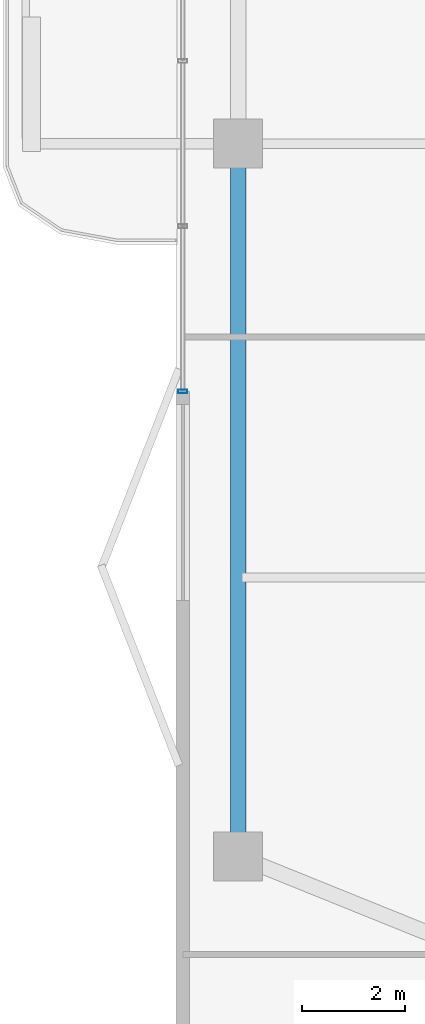
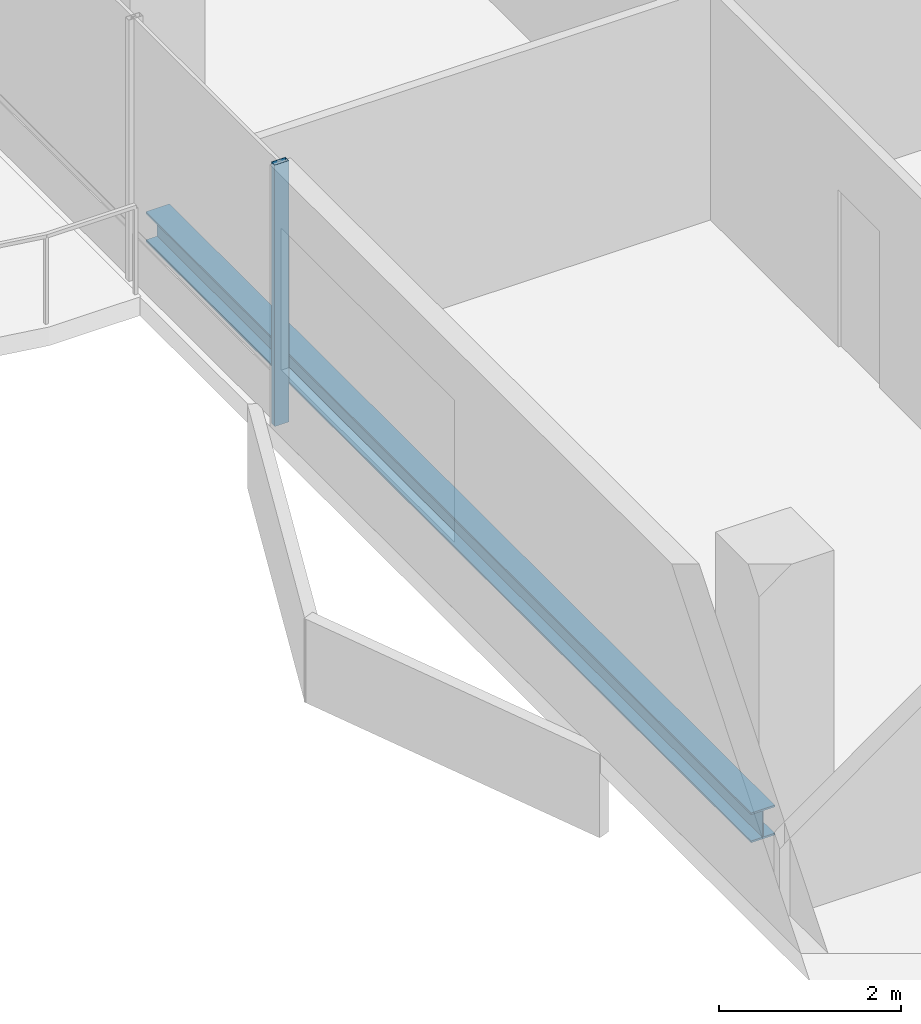
# One storey, part 4 of 25: 1 beam, 1 member, 1 element without a shape of its own.
"""IFC4 building model written with IfcOpenShell, lengths in metres."""

import ifcopenshell
import ifcopenshell.guid

model = None  # the IFC model being written
_history = None  # IfcOwnerHistory: only IFC2X3 demands one
_inside = {}  # id of a spatial element -> (the spatial element, [elements in it])
_under = {}  # id of a project, library or spatial element -> (it, [spatial elements below it])
_declared = {}  # id of a project -> (the project, [libraries it declares])
_typed = {}  # id of a type object -> (the type object, [elements of that type])
_made_of = {}  # id of a material, layer set ... -> (it, [elements and type objects made of it])


def new_model(schema):
    """Start an empty IFC model of exactly this schema.

    Asked for "IFC4X3", IfcOpenShell would pick the latest addendum, in which some entities
    have other attributes; the version numbers below select the first issue.
    IFC2X3 requires an IfcOwnerHistory on every rooted entity: one is made here for all.
    """
    global model, _history
    if schema == "IFC4X3":
        model = ifcopenshell.file(schema_version=(4, 3, 0, 0))
    else:
        model = ifcopenshell.file(schema=schema)
    _inside.clear()
    _under.clear()
    _declared.clear()
    _typed.clear()
    _made_of.clear()
    _history = None
    if model.schema == "IFC2X3":
        org = make("IfcOrganization", Name="unknown")
        user = make(
            "IfcPersonAndOrganization",
            ThePerson=make("IfcPerson", FamilyName="unknown"),
            TheOrganization=org,
        )
        app = make(
            "IfcApplication",
            ApplicationDeveloper=org,
            Version="unknown",
            ApplicationFullName="unknown",
            ApplicationIdentifier="unknown",
        )
        _history = make(
            "IfcOwnerHistory",
            OwningUser=user,
            OwningApplication=app,
            ChangeAction="ADDED",
            CreationDate=0,
        )
    return model


def make(cls, **values):
    """One entity of the class cls with the attributes given. An attribute that is None is left unset."""
    return model.create_entity(
        cls, **{name: value for name, value in values.items() if value is not None}
    )


def rooted(cls, **values):
    """An entity with a GlobalId (a new one), such as an element, a storey or a relation."""
    return make(cls, GlobalId=ifcopenshell.guid.new(), OwnerHistory=_history, **values)


def si_unit(unit_type, name, prefix=None):
    """IfcSIUnit, for example si_unit("LENGTHUNIT", "METRE", prefix="MILLI")."""
    return make("IfcSIUnit", UnitType=unit_type, Prefix=prefix, Name=name)


def assignment(units):
    """IfcUnitAssignment: the units of a project."""
    return None if units is None else make("IfcUnitAssignment", Units=units)


def point(xyz):
    """IfcCartesianPoint."""
    return None if xyz is None else make("IfcCartesianPoint", Coordinates=xyz)


def direction(xyz):
    """IfcDirection."""
    return None if xyz is None else make("IfcDirection", DirectionRatios=xyz)


def frame(location, z_axis=None, x_axis=None):
    """IfcAxis2Placement3D, a coordinate frame: its origin and axes. An axis left out is left unset."""
    return make(
        "IfcAxis2Placement3D",
        Location=point(location),
        Axis=direction(z_axis),
        RefDirection=direction(x_axis),
    )


def frame_2d(location, x_axis=None):
    """IfcAxis2Placement2D, a coordinate frame in the plane: its origin and x axis."""
    return make(
        "IfcAxis2Placement2D", Location=point(location), RefDirection=direction(x_axis)
    )


def origin():
    """The frame at (0, 0, 0) with its axes left unset."""
    return frame((0.0, 0.0, 0.0))


def origin_2d():
    """The frame at (0, 0) in the plane with its x axis left unset."""
    return frame_2d((0.0, 0.0))


def place(relative_to, where):
    """IfcLocalPlacement: puts the frame where relative to a parent placement (None: the world)."""
    return make(
        "IfcLocalPlacement", PlacementRelTo=relative_to, RelativePlacement=where
    )


def context(
    kind, dimensions, precision=None, world=None, true_north=None, identifier=None
):
    """IfcGeometricRepresentationContext, for example the 3D "Model" context."""
    return make(
        "IfcGeometricRepresentationContext",
        ContextIdentifier=identifier,
        ContextType=kind,
        CoordinateSpaceDimension=dimensions,
        Precision=precision,
        WorldCoordinateSystem=world,
        TrueNorth=true_north,
    )


def subcontext(parent, identifier, kind, view, scale=None):
    """IfcGeometricRepresentationSubContext, for example "Body" below "Model"."""
    return make(
        "IfcGeometricRepresentationSubContext",
        ContextIdentifier=identifier,
        ContextType=kind,
        ParentContext=parent,
        TargetScale=scale,
        TargetView=view,
    )


def project(units=None, contexts=None):
    """IfcProject with its units and contexts."""
    return rooted(
        "IfcProject",
        Name="project",
        RepresentationContexts=contexts,
        UnitsInContext=assignment(units),
    )


def spatial(cls, under=None, at=None, **own):
    """A site, building, storey or space (cls), placed at a placement, below another one or the project."""
    s = rooted(cls, ObjectPlacement=at, **own)
    if under is not None:
        _under.setdefault(under.id(), (under, []))[1].append(s)
    return s


def profile(cls, at=None, kind="AREA", **sizes):
    """A parametric profile (cls). Its sizes go by their IFC names, for example OverallWidth=200.0."""
    return make(cls, ProfileType=kind, Position=at, **sizes)


def hollow_rectangle(**sizes):
    """IfcRectangleHollowProfileDef."""
    return profile("IfcRectangleHollowProfileDef", **sizes)


def i_section(**sizes):
    """IfcIShapeProfileDef."""
    return profile("IfcIShapeProfileDef", **sizes)


def extrude(swept, where, along, depth):
    """IfcExtrudedAreaSolid: the profile swept, set in the frame where, extruded along a direction by depth."""
    return make(
        "IfcExtrudedAreaSolid",
        SweptArea=swept,
        Position=where,
        ExtrudedDirection=direction(along),
        Depth=depth,
    )


def shape(context_of_items, identifier, shape_type, items):
    """IfcShapeRepresentation: the items that make up one representation, for example the "Body"."""
    return make(
        "IfcShapeRepresentation",
        ContextOfItems=context_of_items,
        RepresentationIdentifier=identifier,
        RepresentationType=shape_type,
        Items=items,
    )


def material(Name=None, Category=None):
    """IfcMaterial."""
    return make("IfcMaterial", Name=Name, Category=Category)


def layer(
    of_material, thickness, ventilated=None, Name=None, Category=None, Priority=None
):
    """IfcMaterialLayer: one layer of a wall or slab, of a material (None: an air gap)."""
    return make(
        "IfcMaterialLayer",
        Material=of_material,
        LayerThickness=thickness,
        IsVentilated=ventilated,
        Name=Name,
        Category=Category,
        Priority=Priority,
    )


def layer_set(layers, Name=None):
    """IfcMaterialLayerSet."""
    return make("IfcMaterialLayerSet", MaterialLayers=layers, LayerSetName=Name)


def material_profile(
    of_material, cross_section, Name=None, Category=None, Priority=None
):
    """IfcMaterialProfile: a cross section and its material."""
    return make(
        "IfcMaterialProfile",
        Name=Name,
        Material=of_material,
        Profile=cross_section,
        Priority=Priority,
        Category=Category,
    )


def profile_set(profiles, Name=None, composite=None):
    """IfcMaterialProfileSet."""
    return make(
        "IfcMaterialProfileSet",
        Name=Name,
        MaterialProfiles=profiles,
        CompositeProfile=composite,
    )


def made_of(thing, what):
    """Note that an element or type object is made of a material, layer set ...; save() writes the relation."""
    if what is not None:
        _made_of.setdefault(what.id(), (what, []))[1].append(thing)
    return thing


def type_object(cls, material=None, **own):
    """A type object (cls), such as IfcWallType, which elements share."""
    return made_of(rooted(cls, **own), material)


def element(
    cls,
    number,
    at=None,
    inside=None,
    cuts=None,
    type_object=None,
    material=None,
    context=None,
    identifier="Body",
    shape_type=None,
    held_by="IfcProductDefinitionShape",
    body=None,
    shapes=None,
    **own,
):
    """One element of the class cls, such as IfcWall. Its Tag is "e" and its number.

    at: its placement. inside: the storey or other place that contains it. cuts: it is an
    opening in that element (IfcRelVoidsElement). A single representation is given by context,
    identifier, shape_type and body (its items); several are given by shapes. held_by: the class
    of the entity that holds the representations. save() writes the other relations.
    """
    e = rooted(cls, Tag="e%d" % number, ObjectPlacement=at, **own)
    if body is not None:
        shapes = [shape(context, identifier, shape_type, body)]
    if shapes is not None:
        e.Representation = make(held_by, Representations=shapes)
    if inside is not None:
        _inside.setdefault(inside.id(), (inside, []))[1].append(e)
    if cuts is not None:
        rooted(
            "IfcRelVoidsElement", RelatingBuildingElement=cuts, RelatedOpeningElement=e
        )
    if type_object is not None:
        _typed.setdefault(type_object.id(), (type_object, []))[1].append(e)
    return made_of(e, material)


def aggregate(whole, parts):
    """IfcRelAggregates: a whole, such as a stair, and the parts it consists of."""
    return rooted("IfcRelAggregates", RelatingObject=whole, RelatedObjects=parts)


def save(model, path):
    """Write the relations noted so far, then the file.

    IfcRelAggregates (storeys below a building ...), IfcRelContainedInSpatialStructure (elements
    in a storey), IfcRelDefinesByType, IfcRelAssociatesMaterial and IfcRelDeclares: one each for
    every whole, place, type object, material and project.
    """
    for whole, parts in _under.values():
        aggregate(whole, parts)
    for where, things in _inside.values():
        rooted(
            "IfcRelContainedInSpatialStructure",
            RelatedElements=things,
            RelatingStructure=where,
        )
    for kind, things in _typed.values():
        rooted("IfcRelDefinesByType", RelatedObjects=things, RelatingType=kind)
    for what, things in _made_of.values():
        rooted("IfcRelAssociatesMaterial", RelatedObjects=things, RelatingMaterial=what)
    for by, libraries in _declared.values():
        rooted("IfcRelDeclares", RelatingContext=by, RelatedDefinitions=libraries)
    model.write(path)


model = new_model("IFC4")

# Units and contexts
model_context = context("Model", 3, precision=1e-05, world=origin(), true_north=direction((0.0, 1.0)))
body_context = subcontext(model_context, "Body", "Model", "MODEL_VIEW")
ifc_project = project(units=[si_unit("LENGTHUNIT", "METRE"), si_unit("AREAUNIT", "SQUARE_METRE"), si_unit("VOLUMEUNIT", "CUBIC_METRE"), si_unit("PLANEANGLEUNIT", "RADIAN"), si_unit("MASSUNIT", "GRAM", prefix="KILO")], contexts=[model_context])

# Site, building, storey
site_placement = place(None, origin())
site = spatial("IfcSite", under=ifc_project, at=site_placement, CompositionType="ELEMENT")
building_placement = place(site_placement, origin())
building = spatial("IfcBuilding", under=site, at=building_placement, Name="Belovzor Exchange Tower", CompositionType="ELEMENT")
storey_placement = place(building_placement, frame((0.0, 0.0, 254.10009765625)))
storey = spatial("IfcBuildingStorey", under=building, at=storey_placement, Name="L63", CompositionType="ELEMENT", Elevation=254.10009765625)

# Curtain wall, member
ifc_material_1 = material(Name="Anodised Aluminium Framing", Category="aluminium")
ifc_layer = layer(ifc_material_1, 0.179931640625)
ifc_layer_set = layer_set([ifc_layer], Name="Anodised Aluminium Framing")
curtain_wall_type = type_object("IfcCurtainWallType", Name="Recessed Loggia Low-Iron Triple-Glazed Curtain Wall", PredefinedType="NOTDEFINED", material=ifc_layer_set)
curtain_wall_placement = place(storey_placement, origin())
curtain_wall = element("IfcCurtainWall", 1, at=curtain_wall_placement, inside=storey, type_object=curtain_wall_type, Name="CW3 Recessed Loggia Low-Iron Triple-Glazed Curtain Wall L63", PredefinedType="NOTDEFINED")
ifc_material_2 = material(Name="Steel S355", Category="steel")
ifc_material_profile_1 = material_profile(ifc_material_2, hollow_rectangle(XDim=0.074951171875, YDim=0.179931640625, WallThickness=0.0048828125, at=origin_2d()))
ifc_profile_set_1 = profile_set([ifc_material_profile_1], Name="Steel S355")
member_type = type_object("IfcMemberType", Name="Thermally Broken Curtain Wall Mullion 180x75", PredefinedType="MULLION", material=ifc_profile_set_1)
member_placement = place(storey_placement, frame((4.030029296875, 24.0, 0.0), z_axis=(0.0, 0.0, 1.0), x_axis=(0.0, 1.0, 0.0)))
member = element("IfcMember", 2, at=member_placement, type_object=member_type, Name="CW-M180 Curtain Wall Mullion 1", PredefinedType="MULLION", context=body_context, shape_type="SweptSolid", body=[
    extrude(hollow_rectangle(XDim=0.074951171875, YDim=0.179931640625, WallThickness=0.0048828125, at=origin_2d()), origin(), (0.0, 0.0, 1.0), 3.5),
])
aggregate(curtain_wall, [member])

# Beam
ifc_material_3 = material(Name="Steel S355", Category="steel")
ifc_material_profile_2 = material_profile(ifc_material_3, i_section(OverallWidth=0.300048828125, OverallDepth=0.39990234375, WebThickness=0.013427734375, FlangeThickness=0.02392578125, at=origin_2d()))
ifc_profile_set_2 = profile_set([ifc_material_profile_2], Name="Steel S355")
beam_type = type_object("IfcBeamType", Name="Zone 5 Primary Girder HEB 400", PredefinedType="BEAM", material=ifc_profile_set_2)
beam_placement = place(storey_placement, frame((5.10009765625, 28.5390625, -0.4501953125), z_axis=(0.0, -1.0, 0.0), x_axis=(1.0, 0.0, 0.0)))
element("IfcBeam", 3, at=beam_placement, inside=storey, type_object=beam_type, Name="FG-Z5 Zone 5 Primary Girder HEB 400", PredefinedType="BEAM", context=body_context, shape_type="SweptSolid", body=[
    extrude(i_section(OverallWidth=0.300048828125, OverallDepth=0.39990234375, WebThickness=0.013427734375, FlangeThickness=0.02392578125, at=origin_2d()), origin(), (0.0, 0.0, 1.0), 13.278076171875),
])

save(model, "model.ifc")
